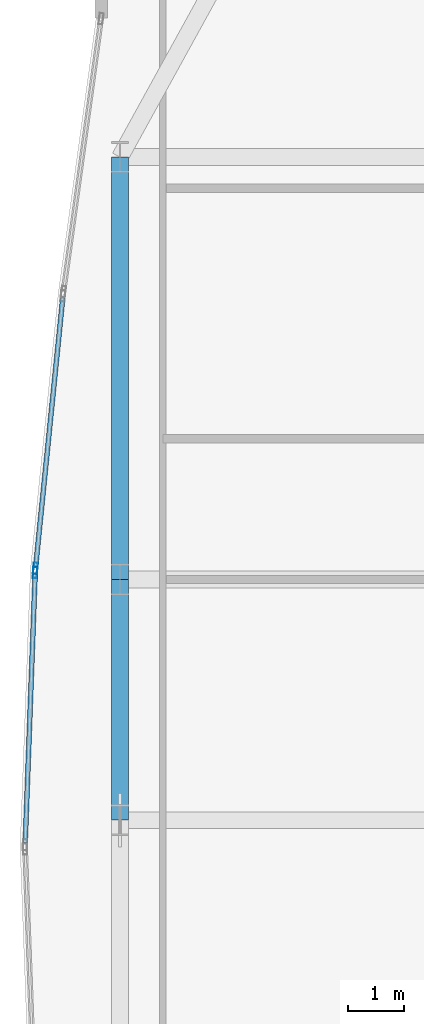
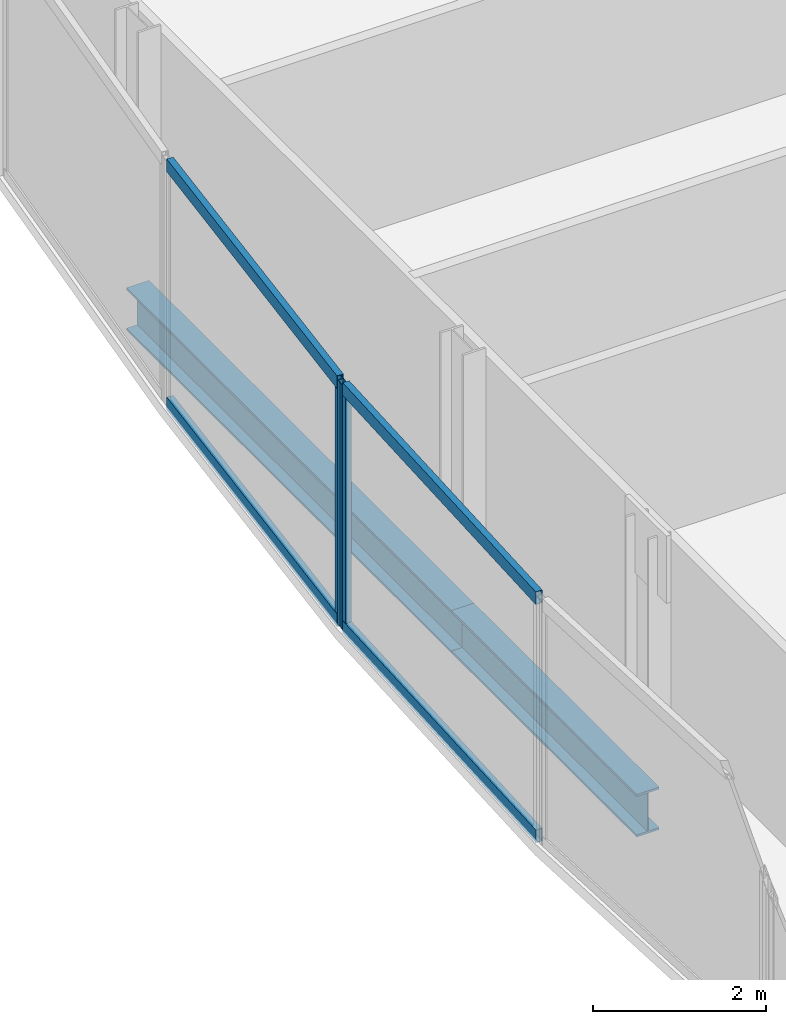
# One storey, part 11 of 29: 6 members, 2 beams, 2 elements without a shape of their own.
"""IFC4 building model written with IfcOpenShell, lengths in metres."""

from ifc_helpers import new_model, si_unit, direction, frame, origin, origin_2d, place, context, subcontext, project, spatial, hollow_rectangle, i_section, extrude, material, material_profile, profile_set, type_object, element, aggregate, save


model = new_model("IFC4")

# Units and contexts
model_context = context("Model", 3, precision=1e-05, world=origin(), true_north=direction((0.0, 1.0)))
body_context = subcontext(model_context, "Body", "Model", "MODEL_VIEW")
ifc_project = project(units=[si_unit("LENGTHUNIT", "METRE"), si_unit("AREAUNIT", "SQUARE_METRE"), si_unit("VOLUMEUNIT", "CUBIC_METRE"), si_unit("PLANEANGLEUNIT", "RADIAN"), si_unit("MASSUNIT", "GRAM", prefix="KILO")], contexts=[model_context])

# Site, building, storey
site_placement = place(None, origin())
site = spatial("IfcSite", under=ifc_project, at=site_placement, CompositionType="ELEMENT")
building_placement = place(site_placement, origin())
building = spatial("IfcBuilding", under=site, at=building_placement, Name="Khoronbel Lancet Exchange", CompositionType="ELEMENT")
storey_placement = place(building_placement, frame((0.0, 0.0, 177.0)))
storey = spatial("IfcBuildingStorey", under=building, at=storey_placement, Name="L44", CompositionType="ELEMENT", Elevation=177.0)

# Beams
ifc_material_1 = material(Name="Steel S355", Category="steel")
ifc_material_profile_1 = material_profile(ifc_material_1, i_section(OverallWidth=0.300048828125, OverallDepth=0.60009765625, WebThickness=0.015380859375, FlangeThickness=0.030029296875, at=origin_2d()), Name="HEB 600")
ifc_profile_set_1 = profile_set([ifc_material_profile_1], Name="Steel S355")
beam_type = type_object("IfcBeamType", Name="BM-BSP2", PredefinedType="SPANDREL", material=ifc_profile_set_1)
beam_1_placement = place(storey_placement, frame((5.27001953125, 43.199951171875, -0.4599609375), z_axis=(0.0, -1.0, 0.0), x_axis=(1.0, 0.0, 0.0)))
element("IfcBeam", 1, at=beam_1_placement, inside=storey, type_object=beam_type, Name="Level L44 perimeter spandrel beam SP17", PredefinedType="SPANDREL", context=body_context, shape_type="SweptSolid", body=[
    extrude(i_section(OverallWidth=0.300048828125, OverallDepth=0.60009765625, WebThickness=0.015380859375, FlangeThickness=0.030029296875, at=origin_2d()), origin(), (0.0, 0.0, 1.0), 7.5),
])
beam_2_placement = place(storey_placement, frame((5.27001953125, 35.699951171875, -0.4599609375), z_axis=(0.0, -1.0, 0.0), x_axis=(1.0, 0.0, 0.0)))
element("IfcBeam", 2, at=beam_2_placement, inside=storey, type_object=beam_type, Name="Level L44 perimeter spandrel beam SP18", PredefinedType="SPANDREL", context=body_context, shape_type="SweptSolid", body=[
    extrude(i_section(OverallWidth=0.300048828125, OverallDepth=0.60009765625, WebThickness=0.015380859375, FlangeThickness=0.030029296875, at=origin_2d()), origin(), (0.0, 0.0, 1.0), 4.27490234375),
])

# Curtain wall, member
ifc_material_2 = material(Name="Low-E Solar Control Insulating Glass", Category="glass")
curtain_wall_type = type_object("IfcCurtainWallType", Name="CW-4", PredefinedType="NOTDEFINED", material=ifc_material_2)
curtain_wall_1_placement = place(storey_placement, origin())
curtain_wall_1 = element("IfcCurtainWall", 3, at=curtain_wall_1_placement, inside=storey, type_object=curtain_wall_type, Name="Unitised curtain wall CW-L44-E07", PredefinedType="NOTDEFINED")
ifc_material_3 = material(Name="Bronze-Anodised Aluminium 6063-T6", Category="aluminium")
ifc_material_profile_2 = material_profile(ifc_material_3, hollow_rectangle(XDim=0.074951171875, YDim=0.199951171875, WallThickness=0.0048828125, at=origin_2d()), Name="ALU MULLION 75x200")
ifc_profile_set_2 = profile_set([ifc_material_profile_2], Name="Bronze-Anodised Aluminium 6063-T6")
member_type_1 = type_object("IfcMemberType", Name="MEM-CWM2", PredefinedType="MULLION", material=ifc_profile_set_2)
member_1_placement = place(storey_placement, frame((3.7646484375, 35.822998046875, 0.0), z_axis=(0.0, 0.0, 1.0), x_axis=(-0.999319120197, 0.036895745143, 0.0)))
member_1 = element("IfcMember", 4, at=member_1_placement, type_object=member_type_1, Name="CW4 mullion 2", PredefinedType="MULLION", context=body_context, shape_type="SweptSolid", body=[
    extrude(hollow_rectangle(XDim=0.074951171875, YDim=0.199951171875, WallThickness=0.0048828125, at=origin_2d()), origin(), (0.0, 0.0, 1.0), 3.43994140625),
])

curtain_wall_2_placement = place(storey_placement, origin())
curtain_wall_2 = element("IfcCurtainWall", 5, at=curtain_wall_2_placement, inside=storey, type_object=curtain_wall_type, Name="Unitised curtain wall CW-L44-E08", PredefinedType="NOTDEFINED")
member_2_placement = place(storey_placement, frame((3.769775390625, 35.897705078125, 0.0), z_axis=(0.0, 0.0, 1.0), x_axis=(-0.994946738202, 0.10040412412, 0.0)))
member_2 = element("IfcMember", 6, at=member_2_placement, type_object=member_type_1, Name="CW4 mullion 1", PredefinedType="MULLION", context=body_context, shape_type="SweptSolid", body=[
    extrude(hollow_rectangle(XDim=0.074951171875, YDim=0.199951171875, WallThickness=0.0048828125, at=origin_2d()), origin(), (0.0, 0.0, 1.0), 3.43994140625),
])

# Member
ifc_material_profile_3 = material_profile(ifc_material_3, hollow_rectangle(XDim=0.0849609375, YDim=0.179931640625, WallThickness=0.0048828125, at=origin_2d()), Name="ALU TRANSOM 85x180")
ifc_profile_set_3 = profile_set([ifc_material_profile_3], Name="Bronze-Anodised Aluminium 6063-T6")
member_type_2 = type_object("IfcMemberType", Name="MEM-CWT1", PredefinedType="USERDEFINED", material=ifc_profile_set_3)
member_3_placement = place(storey_placement, frame((3.58740234375, 31.02490234375, 0.04248046875), z_axis=(0.036897933762, 0.999319039388, 0.0), x_axis=(-0.999319039388, 0.036897933762, 0.0)))
member_3 = element("IfcMember", 7, at=member_3_placement, type_object=member_type_2, Name="CW4 transom 1.1", ObjectType="TRANSOM", PredefinedType="USERDEFINED", context=body_context, shape_type="SweptSolid", body=[
    extrude(hollow_rectangle(XDim=0.0849609375, YDim=0.179931640625, WallThickness=0.0048828125, at=origin_2d()), origin(), (0.0, 0.0, 1.0), 4.763916015625),
])

member_4_placement = place(storey_placement, frame((3.58740234375, 31.02490234375, 3.3974609375), z_axis=(0.036897933762, 0.999319039388, 0.0), x_axis=(-0.999319039388, 0.036897933762, 0.0)))
member_4 = element("IfcMember", 8, at=member_4_placement, type_object=member_type_2, Name="CW4 transom 1.2", ObjectType="TRANSOM", PredefinedType="USERDEFINED", context=body_context, shape_type="SweptSolid", body=[
    extrude(hollow_rectangle(XDim=0.0849609375, YDim=0.179931640625, WallThickness=0.0048828125, at=origin_2d()), origin(), (0.0, 0.0, 1.0), 4.763916015625),
])

aggregate(curtain_wall_1, [member_1, member_3, member_4])

member_5_placement = place(storey_placement, frame((3.7734375, 35.93505859375, 0.04248046875), z_axis=(0.100417624929, 0.994945375688, 0.0), x_axis=(-0.994945375688, 0.100417624929, 0.0)))
member_5 = element("IfcMember", 9, at=member_5_placement, type_object=member_type_2, Name="CW4 transom 1.1", ObjectType="TRANSOM", PredefinedType="USERDEFINED", context=body_context, shape_type="SweptSolid", body=[
    extrude(hollow_rectangle(XDim=0.0849609375, YDim=0.179931640625, WallThickness=0.0048828125, at=origin_2d()), origin(), (0.0, 0.0, 1.0), 4.787109375),
])

member_6_placement = place(storey_placement, frame((3.7734375, 35.93505859375, 3.3974609375), z_axis=(0.100417624929, 0.994945375688, 0.0), x_axis=(-0.994945375688, 0.100417624929, 0.0)))
member_6 = element("IfcMember", 10, at=member_6_placement, type_object=member_type_2, Name="CW4 transom 1.2", ObjectType="TRANSOM", PredefinedType="USERDEFINED", context=body_context, shape_type="SweptSolid", body=[
    extrude(hollow_rectangle(XDim=0.0849609375, YDim=0.179931640625, WallThickness=0.0048828125, at=origin_2d()), origin(), (0.0, 0.0, 1.0), 4.787109375),
])

aggregate(curtain_wall_2, [member_2, member_5, member_6])

save(model, "model.ifc")
